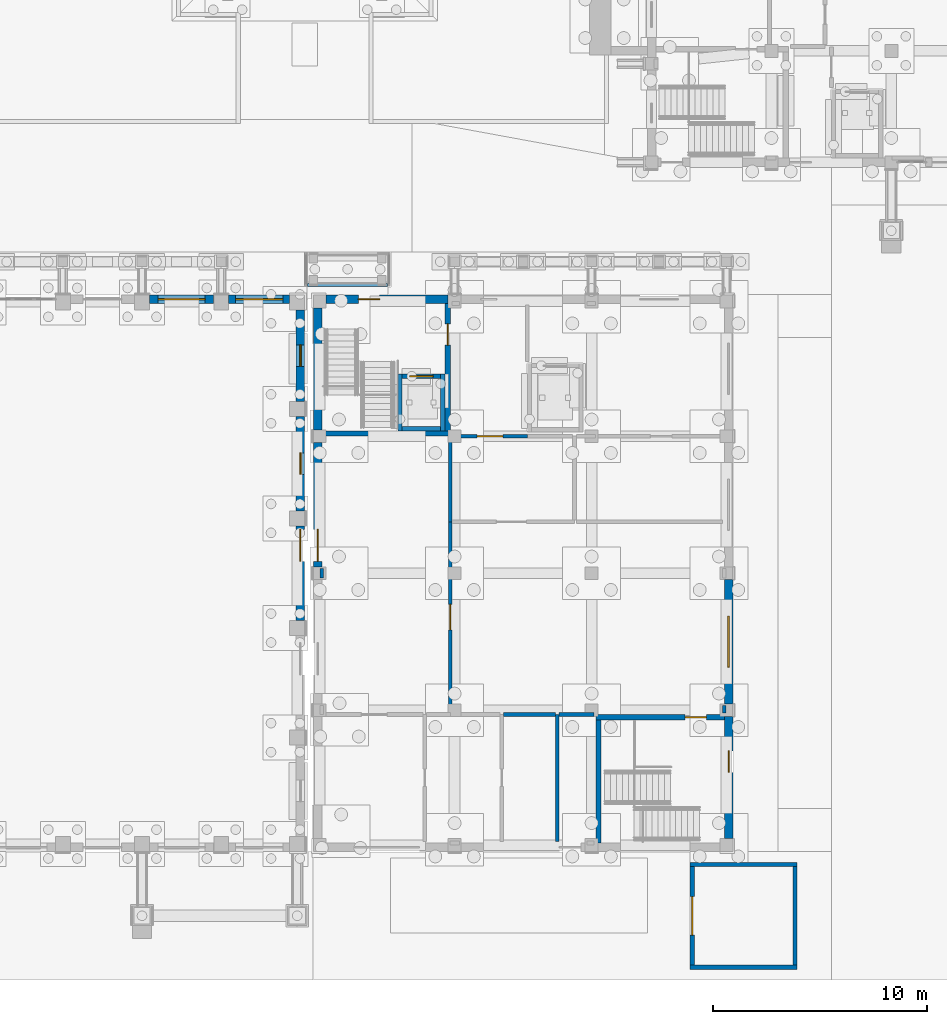
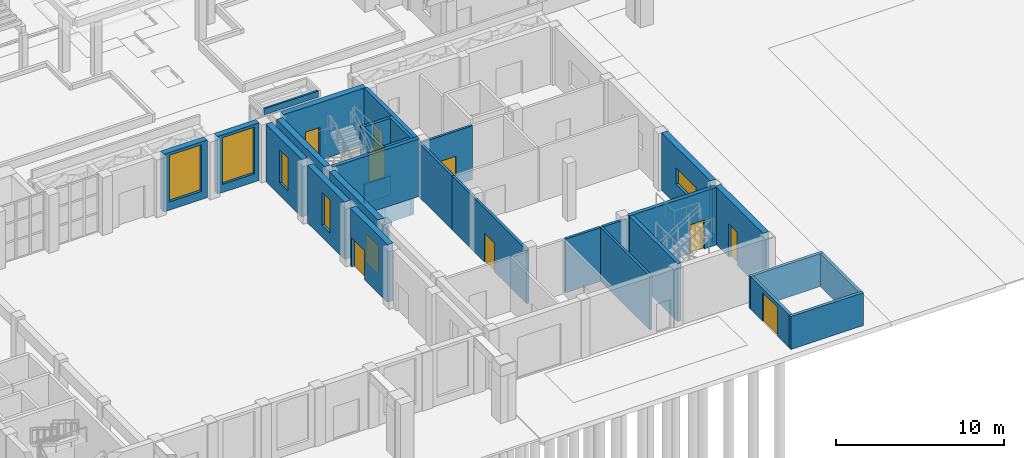
# One storey, part 65 of 112: 35 walls, 10 doors, 5 windows, 15 openings.
"""IFC4 building model written with IfcOpenShell, lengths in metres."""

import ifcopenshell
import ifcopenshell.guid

model = None  # the IFC model being written
_history = None  # IfcOwnerHistory: only IFC2X3 demands one
_inside = {}  # id of a spatial element -> (the spatial element, [elements in it])
_under = {}  # id of a project, library or spatial element -> (it, [spatial elements below it])
_declared = {}  # id of a project -> (the project, [libraries it declares])
_typed = {}  # id of a type object -> (the type object, [elements of that type])
_made_of = {}  # id of a material, layer set ... -> (it, [elements and type objects made of it])


def new_model(schema):
    """Start an empty IFC model of exactly this schema.

    Asked for "IFC4X3", IfcOpenShell would pick the latest addendum, in which some entities
    have other attributes; the version numbers below select the first issue.
    IFC2X3 requires an IfcOwnerHistory on every rooted entity: one is made here for all.
    """
    global model, _history
    if schema == "IFC4X3":
        model = ifcopenshell.file(schema_version=(4, 3, 0, 0))
    else:
        model = ifcopenshell.file(schema=schema)
    _inside.clear()
    _under.clear()
    _declared.clear()
    _typed.clear()
    _made_of.clear()
    _history = None
    if model.schema == "IFC2X3":
        org = make("IfcOrganization", Name="unknown")
        user = make(
            "IfcPersonAndOrganization",
            ThePerson=make("IfcPerson", FamilyName="unknown"),
            TheOrganization=org,
        )
        app = make(
            "IfcApplication",
            ApplicationDeveloper=org,
            Version="unknown",
            ApplicationFullName="unknown",
            ApplicationIdentifier="unknown",
        )
        _history = make(
            "IfcOwnerHistory",
            OwningUser=user,
            OwningApplication=app,
            ChangeAction="ADDED",
            CreationDate=0,
        )
    return model


def make(cls, **values):
    """One entity of the class cls with the attributes given. An attribute that is None is left unset."""
    return model.create_entity(
        cls, **{name: value for name, value in values.items() if value is not None}
    )


def rooted(cls, **values):
    """An entity with a GlobalId (a new one), such as an element, a storey or a relation."""
    return make(cls, GlobalId=ifcopenshell.guid.new(), OwnerHistory=_history, **values)


def si_unit(unit_type, name, prefix=None):
    """IfcSIUnit, for example si_unit("LENGTHUNIT", "METRE", prefix="MILLI")."""
    return make("IfcSIUnit", UnitType=unit_type, Prefix=prefix, Name=name)


def assignment(units):
    """IfcUnitAssignment: the units of a project."""
    return None if units is None else make("IfcUnitAssignment", Units=units)


def point(xyz):
    """IfcCartesianPoint."""
    return None if xyz is None else make("IfcCartesianPoint", Coordinates=xyz)


def direction(xyz):
    """IfcDirection."""
    return None if xyz is None else make("IfcDirection", DirectionRatios=xyz)


def frame(location, z_axis=None, x_axis=None):
    """IfcAxis2Placement3D, a coordinate frame: its origin and axes. An axis left out is left unset."""
    return make(
        "IfcAxis2Placement3D",
        Location=point(location),
        Axis=direction(z_axis),
        RefDirection=direction(x_axis),
    )


def frame_2d(location, x_axis=None):
    """IfcAxis2Placement2D, a coordinate frame in the plane: its origin and x axis."""
    return make(
        "IfcAxis2Placement2D", Location=point(location), RefDirection=direction(x_axis)
    )


def origin():
    """The frame at (0, 0, 0) with its axes left unset."""
    return frame((0.0, 0.0, 0.0))


def place(relative_to, where):
    """IfcLocalPlacement: puts the frame where relative to a parent placement (None: the world)."""
    return make(
        "IfcLocalPlacement", PlacementRelTo=relative_to, RelativePlacement=where
    )


def context(
    kind, dimensions, precision=None, world=None, true_north=None, identifier=None
):
    """IfcGeometricRepresentationContext, for example the 3D "Model" context."""
    return make(
        "IfcGeometricRepresentationContext",
        ContextIdentifier=identifier,
        ContextType=kind,
        CoordinateSpaceDimension=dimensions,
        Precision=precision,
        WorldCoordinateSystem=world,
        TrueNorth=true_north,
    )


def subcontext(parent, identifier, kind, view, scale=None):
    """IfcGeometricRepresentationSubContext, for example "Body" below "Model"."""
    return make(
        "IfcGeometricRepresentationSubContext",
        ContextIdentifier=identifier,
        ContextType=kind,
        ParentContext=parent,
        TargetScale=scale,
        TargetView=view,
    )


def project(units=None, contexts=None):
    """IfcProject with its units and contexts."""
    return rooted(
        "IfcProject",
        Name="project",
        RepresentationContexts=contexts,
        UnitsInContext=assignment(units),
    )


def spatial(cls, under=None, at=None, **own):
    """A site, building, storey or space (cls), placed at a placement, below another one or the project."""
    s = rooted(cls, ObjectPlacement=at, **own)
    if under is not None:
        _under.setdefault(under.id(), (under, []))[1].append(s)
    return s


def profile(cls, at=None, kind="AREA", **sizes):
    """A parametric profile (cls). Its sizes go by their IFC names, for example OverallWidth=200.0."""
    return make(cls, ProfileType=kind, Position=at, **sizes)


def rectangle(**sizes):
    """IfcRectangleProfileDef."""
    return profile("IfcRectangleProfileDef", **sizes)


def extrude(swept, where, along, depth):
    """IfcExtrudedAreaSolid: the profile swept, set in the frame where, extruded along a direction by depth."""
    return make(
        "IfcExtrudedAreaSolid",
        SweptArea=swept,
        Position=where,
        ExtrudedDirection=direction(along),
        Depth=depth,
    )


def shape(context_of_items, identifier, shape_type, items):
    """IfcShapeRepresentation: the items that make up one representation, for example the "Body"."""
    return make(
        "IfcShapeRepresentation",
        ContextOfItems=context_of_items,
        RepresentationIdentifier=identifier,
        RepresentationType=shape_type,
        Items=items,
    )


def material(Name=None, Category=None):
    """IfcMaterial."""
    return make("IfcMaterial", Name=Name, Category=Category)


def layer(
    of_material, thickness, ventilated=None, Name=None, Category=None, Priority=None
):
    """IfcMaterialLayer: one layer of a wall or slab, of a material (None: an air gap)."""
    return make(
        "IfcMaterialLayer",
        Material=of_material,
        LayerThickness=thickness,
        IsVentilated=ventilated,
        Name=Name,
        Category=Category,
        Priority=Priority,
    )


def layer_set(layers, Name=None):
    """IfcMaterialLayerSet."""
    return make("IfcMaterialLayerSet", MaterialLayers=layers, LayerSetName=Name)


def made_of(thing, what):
    """Note that an element or type object is made of a material, layer set ...; save() writes the relation."""
    if what is not None:
        _made_of.setdefault(what.id(), (what, []))[1].append(thing)
    return thing


def type_object(cls, material=None, **own):
    """A type object (cls), such as IfcWallType, which elements share."""
    return made_of(rooted(cls, **own), material)


def element(
    cls,
    number,
    at=None,
    inside=None,
    cuts=None,
    type_object=None,
    material=None,
    context=None,
    identifier="Body",
    shape_type=None,
    held_by="IfcProductDefinitionShape",
    body=None,
    shapes=None,
    **own,
):
    """One element of the class cls, such as IfcWall. Its Tag is "e" and its number.

    at: its placement. inside: the storey or other place that contains it. cuts: it is an
    opening in that element (IfcRelVoidsElement). A single representation is given by context,
    identifier, shape_type and body (its items); several are given by shapes. held_by: the class
    of the entity that holds the representations. save() writes the other relations.
    """
    e = rooted(cls, Tag="e%d" % number, ObjectPlacement=at, **own)
    if body is not None:
        shapes = [shape(context, identifier, shape_type, body)]
    if shapes is not None:
        e.Representation = make(held_by, Representations=shapes)
    if inside is not None:
        _inside.setdefault(inside.id(), (inside, []))[1].append(e)
    if cuts is not None:
        rooted(
            "IfcRelVoidsElement", RelatingBuildingElement=cuts, RelatedOpeningElement=e
        )
    if type_object is not None:
        _typed.setdefault(type_object.id(), (type_object, []))[1].append(e)
    return made_of(e, material)


def fill(opening, filler):
    """IfcRelFillsElement: the door or window that sits in an opening."""
    return rooted(
        "IfcRelFillsElement",
        RelatingOpeningElement=opening,
        RelatedBuildingElement=filler,
    )


def aggregate(whole, parts):
    """IfcRelAggregates: a whole, such as a stair, and the parts it consists of."""
    return rooted("IfcRelAggregates", RelatingObject=whole, RelatedObjects=parts)


def save(model, path):
    """Write the relations noted so far, then the file.

    IfcRelAggregates (storeys below a building ...), IfcRelContainedInSpatialStructure (elements
    in a storey), IfcRelDefinesByType, IfcRelAssociatesMaterial and IfcRelDeclares: one each for
    every whole, place, type object, material and project.
    """
    for whole, parts in _under.values():
        aggregate(whole, parts)
    for where, things in _inside.values():
        rooted(
            "IfcRelContainedInSpatialStructure",
            RelatedElements=things,
            RelatingStructure=where,
        )
    for kind, things in _typed.values():
        rooted("IfcRelDefinesByType", RelatedObjects=things, RelatingType=kind)
    for what, things in _made_of.values():
        rooted("IfcRelAssociatesMaterial", RelatedObjects=things, RelatingMaterial=what)
    for by, libraries in _declared.values():
        rooted("IfcRelDeclares", RelatingContext=by, RelatedDefinitions=libraries)
    model.write(path)


model = new_model("IFC4")

# Units and contexts
model_context = context("Model", 3, precision=1e-05, world=origin(), true_north=direction((0.0, 1.0)))
body_context = subcontext(model_context, "Body", "Model", "MODEL_VIEW")
ifc_project = project(units=[si_unit("LENGTHUNIT", "METRE"), si_unit("AREAUNIT", "SQUARE_METRE"), si_unit("VOLUMEUNIT", "CUBIC_METRE"), si_unit("PLANEANGLEUNIT", "RADIAN"), si_unit("MASSUNIT", "GRAM", prefix="KILO")], contexts=[model_context])

# Site, building, storey
site_placement = place(None, origin())
site = spatial("IfcSite", under=ifc_project, at=site_placement, CompositionType="ELEMENT")
building_placement = place(site_placement, origin())
building = spatial("IfcBuilding", under=site, at=building_placement, Name="Wasatch Bagh Community Centre", CompositionType="ELEMENT")
storey_placement = place(building_placement, origin())
storey = spatial("IfcBuildingStorey", under=building, at=storey_placement, Name="L00", CompositionType="ELEMENT", Elevation=0.0)

# Wall, opening, window
ifc_material_1 = material(Name="Concrete C40", Category="concrete")
ifc_layer_1 = layer(ifc_material_1, 0.39990234375)
ifc_layer_set_1 = layer_set([ifc_layer_1], Name="Concrete C40")
wall_type_1 = type_object("IfcWallType", Name="DH RC WALL 400 solidwall", PredefinedType="SOLIDWALL", material=ifc_layer_set_1)
wall_1_placement = place(storey_placement, frame((88.75, 31.800048828125, 0.0), z_axis=(0.0, 0.0, 1.0), x_axis=(1.0, 0.0, 0.0)))
wall_1 = element("IfcWall", 1, at=wall_1_placement, inside=storey, type_object=wall_type_1, Name="DH.wall.L00.15", PredefinedType="SOLIDWALL", context=body_context, shape_type="SweptSolid", body=[
    extrude(rectangle(XDim=3.0, YDim=0.39990234375, at=frame_2d((1.5, 0.0))), origin(), (0.0, 0.0, 1.0), 4.199951171875),
])
opening_1_placement = place(wall_1_placement, frame((0.39990234375, 0.0, 0.60009765625)))
opening_1 = element("IfcOpeningElement", 2, at=opening_1_placement, cuts=wall_1, Name="Opening 0D-W05", PredefinedType="OPENING", context=body_context, shape_type="SweptSolid", body=[
    extrude(rectangle(XDim=2.199951171875, YDim=3.39990234375, at=frame_2d((1.10009765625, 1.699951171875))), frame((0.0, 0.2099609375, 0.0), z_axis=(0.0, -1.0, 0.0), x_axis=(1.0, 0.0, 0.0)), (0.0, 0.0, 1.0), 0.419921875),
])
ifc_material_2 = material(Name="Aluminium frame with double glazing", Category="aluminium")
window_type_1 = type_object("IfcWindowType", Name="DH window 2200x3400", PartitioningType="SINGLE_PANEL", PredefinedType="WINDOW", material=ifc_material_2)
window_1_placement = place(opening_1_placement, origin())
window_1 = element("IfcWindow", 3, at=window_1_placement, inside=storey, type_object=window_type_1, Name="DH.window.L00.0D-W05", OverallHeight=3.39990234375, OverallWidth=2.199951171875, PartitioningType="SINGLE_PANEL", PredefinedType="WINDOW", context=body_context, shape_type="SweptSolid", body=[
    extrude(rectangle(XDim=2.199951171875, YDim=3.39990234375, at=frame_2d((1.10009765625, 1.699951171875))), frame((0.0, 0.030029296875, 0.0), z_axis=(0.0, -1.0, 0.0), x_axis=(1.0, 0.0, 0.0)), (0.0, 0.0, 1.0), 0.06005859375),
])
fill(opening_1, window_1)

wall_2_placement = place(storey_placement, frame((92.449951171875, 31.800048828125, 0.0), z_axis=(0.0, 0.0, 1.0), x_axis=(1.0, 0.0, 0.0)))
wall_2 = element("IfcWall", 4, at=wall_2_placement, inside=storey, type_object=wall_type_1, Name="DH.wall.L00.16", PredefinedType="SOLIDWALL", context=body_context, shape_type="SweptSolid", body=[
    extrude(rectangle(XDim=2.85009765625, YDim=0.39990234375, at=frame_2d((1.425048828125, 0.0))), origin(), (0.0, 0.0, 1.0), 4.199951171875),
])
opening_2_placement = place(wall_2_placement, frame((0.324951171875, 0.0, 0.60009765625)))
opening_2 = element("IfcOpeningElement", 5, at=opening_2_placement, cuts=wall_2, Name="Opening 0D-W06", PredefinedType="OPENING", context=body_context, shape_type="SweptSolid", body=[
    extrude(rectangle(XDim=2.199951171875, YDim=3.39990234375, at=frame_2d((1.10009765625, 1.699951171875))), frame((0.0, 0.2099609375, 0.0), z_axis=(0.0, -1.0, 0.0), x_axis=(1.0, 0.0, 0.0)), (0.0, 0.0, 1.0), 0.419921875),
])
window_2_placement = place(opening_2_placement, origin())
window_2 = element("IfcWindow", 6, at=window_2_placement, inside=storey, type_object=window_type_1, Name="DH.window.L00.0D-W06", OverallHeight=3.39990234375, OverallWidth=2.199951171875, PartitioningType="SINGLE_PANEL", PredefinedType="WINDOW", context=body_context, shape_type="SweptSolid", body=[
    extrude(rectangle(XDim=2.199951171875, YDim=3.39990234375, at=frame_2d((1.10009765625, 1.699951171875))), frame((0.0, 0.030029296875, 0.0), z_axis=(0.0, -1.0, 0.0), x_axis=(1.0, 0.0, 0.0)), (0.0, 0.0, 1.0), 0.06005859375),
])
fill(opening_2, window_2)

# Wall, opening, door
wall_3_placement = place(storey_placement, frame((95.800048828125, 16.7900390625, 0.0), z_axis=(0.0, 0.0, 1.0), x_axis=(0.0, 1.0, 0.0)))
wall_3 = element("IfcWall", 7, at=wall_3_placement, inside=storey, type_object=wall_type_1, Name="DH.wall.L00.24", PredefinedType="SOLIDWALL", context=body_context, shape_type="SweptSolid", body=[
    extrude(rectangle(XDim=4.419921875, YDim=0.39990234375, at=frame_2d((2.2099609375, 0.0))), origin(), (0.0, 0.0, 1.0), 4.199951171875),
])
opening_3_placement = place(wall_3_placement, frame((2.760009765625, 0.0, 0.0)))
opening_3 = element("IfcOpeningElement", 8, at=opening_3_placement, cuts=wall_3, Name="Opening 0D-09", PredefinedType="OPENING", context=body_context, shape_type="SweptSolid", body=[
    extrude(rectangle(XDim=1.5, YDim=2.10009765625, at=frame_2d((0.75, 1.050048828125))), frame((0.0, 0.2099609375, 0.0), z_axis=(0.0, -1.0, 0.0), x_axis=(1.0, 0.0, 0.0)), (0.0, 0.0, 1.0), 0.419921875),
])
ifc_material_3 = material(Name="Aluminium frame and glass", Category="aluminium")
door_type_1 = type_object("IfcDoorType", Name="DH door 1500x2100 double", OperationType="DOUBLE_DOOR_SINGLE_SWING", PredefinedType="DOOR", material=ifc_material_3)
door_1_placement = place(opening_3_placement, origin())
door_1 = element("IfcDoor", 9, at=door_1_placement, inside=storey, type_object=door_type_1, Name="DH.door.L00.0D-09", OperationType="DOUBLE_DOOR_SINGLE_SWING", OverallHeight=2.10009765625, OverallWidth=1.5, PredefinedType="DOOR", context=body_context, shape_type="SweptSolid", body=[
    extrude(rectangle(XDim=1.5, YDim=2.10009765625, at=frame_2d((0.75, 1.050048828125))), frame((0.0, 0.02490234375, 0.0), z_axis=(0.0, -1.0, 0.0), x_axis=(1.0, 0.0, 0.0)), (0.0, 0.0, 1.0), 0.050048828125),
])
fill(opening_3, door_1)

# Wall, opening, window
wall_4_placement = place(storey_placement, frame((95.800048828125, 21.909912109375, 0.0), z_axis=(0.0, 0.0, 1.0), x_axis=(0.0, 1.0, 0.0)))
wall_4 = element("IfcWall", 10, at=wall_4_placement, inside=storey, type_object=wall_type_1, Name="DH.wall.L00.25", PredefinedType="SOLIDWALL", context=body_context, shape_type="SweptSolid", body=[
    extrude(rectangle(XDim=4.420166015625, YDim=0.39990234375, at=frame_2d((2.2099609375, 0.0))), origin(), (0.0, 0.0, 1.0), 4.199951171875),
])
opening_4_placement = place(wall_4_placement, frame((1.7099609375, 0.0, 0.89990234375)))
opening_4 = element("IfcOpeningElement", 11, at=opening_4_placement, cuts=wall_4, Name="Opening 0D-W13", PredefinedType="OPENING", context=body_context, shape_type="SweptSolid", body=[
    extrude(rectangle(XDim=1.0, YDim=2.39990234375, at=frame_2d((0.5, 1.199951171875))), frame((0.0, 0.2099609375, 0.0), z_axis=(0.0, -1.0, 0.0), x_axis=(1.0, 0.0, 0.0)), (0.0, 0.0, 1.0), 0.419921875),
])
window_type_2 = type_object("IfcWindowType", Name="DH window 1000x2400", PartitioningType="SINGLE_PANEL", PredefinedType="WINDOW", material=ifc_material_2)
window_3_placement = place(opening_4_placement, origin())
window_3 = element("IfcWindow", 12, at=window_3_placement, inside=storey, type_object=window_type_2, Name="DH.window.L00.0D-W13", OverallHeight=2.39990234375, OverallWidth=1.0, PartitioningType="SINGLE_PANEL", PredefinedType="WINDOW", context=body_context, shape_type="SweptSolid", body=[
    extrude(rectangle(XDim=1.0, YDim=2.39990234375, at=frame_2d((0.5, 1.199951171875))), frame((0.0, 0.030029296875, 0.0), z_axis=(0.0, -1.0, 0.0), x_axis=(1.0, 0.0, 0.0)), (0.0, 0.0, 1.0), 0.06005859375),
])
fill(opening_4, window_3)

wall_5_placement = place(storey_placement, frame((95.800048828125, 27.030029296875, 0.0), z_axis=(0.0, 0.0, 1.0), x_axis=(0.0, 1.0, 0.0)))
wall_5 = element("IfcWall", 13, at=wall_5_placement, inside=storey, type_object=wall_type_1, Name="DH.wall.L00.26", PredefinedType="SOLIDWALL", context=body_context, shape_type="SweptSolid", body=[
    extrude(rectangle(XDim=4.27001953125, YDim=0.39990234375, at=frame_2d((2.135009765625, 0.0))), origin(), (0.0, 0.0, 1.0), 4.199951171875),
])
opening_5_placement = place(wall_5_placement, frame((1.635009765625, 0.0, 0.89990234375)))
opening_5 = element("IfcOpeningElement", 14, at=opening_5_placement, cuts=wall_5, Name="Opening 0D-W14", PredefinedType="OPENING", context=body_context, shape_type="SweptSolid", body=[
    extrude(rectangle(XDim=1.0, YDim=2.39990234375, at=frame_2d((0.5, 1.199951171875))), frame((0.0, 0.2099609375, 0.0), z_axis=(0.0, -1.0, 0.0), x_axis=(1.0, 0.0, 0.0)), (0.0, 0.0, 1.0), 0.419921875),
])
window_4_placement = place(opening_5_placement, origin())
window_4 = element("IfcWindow", 15, at=window_4_placement, inside=storey, type_object=window_type_2, Name="DH.window.L00.0D-W14", OverallHeight=2.39990234375, OverallWidth=1.0, PartitioningType="SINGLE_PANEL", PredefinedType="WINDOW", context=body_context, shape_type="SweptSolid", body=[
    extrude(rectangle(XDim=1.0, YDim=2.39990234375, at=frame_2d((0.5, 1.199951171875))), frame((0.0, 0.030029296875, 0.0), z_axis=(0.0, -1.0, 0.0), x_axis=(1.0, 0.0, 0.0)), (0.0, 0.0, 1.0), 0.06005859375),
])
fill(opening_5, window_4)

# Walls
ifc_layer_2 = layer(ifc_material_1, 0.199951171875)
ifc_layer_set_2 = layer_set([ifc_layer_2], Name="Concrete C40")
wall_type_2 = type_object("IfcWallType", Name="KW RC WALL 200 shear", PredefinedType="SHEAR", material=ifc_layer_set_2)
for number, where, z_axis, x_axis, name in (
    (16, (100.449951171875, 25.64990234375, 0.0), (0.0, 0.0, 1.0), (0.0, 1.0, 0.0), "KW.core.LF2.L00.W"),
    (17, (102.449951171875, 25.64990234375, 0.0), (0.0, 0.0, 1.0), (0.0, 1.0, 0.0), "KW.core.LF2.L00.E"),
):
    element("IfcWall", number, at=place(storey_placement, frame(where, z_axis=z_axis, x_axis=x_axis)), inside=storey, type_object=wall_type_2, Name=name, PredefinedType="SHEAR", context=body_context, shape_type="SweptSolid", body=[
        extrude(rectangle(XDim=2.650146484375, YDim=0.199951171875, at=frame_2d((1.3251953125, 0.0))), origin(), (0.0, 0.0, 1.0), 4.199951171875),
    ])
wall_6_placement = place(storey_placement, frame((100.550048828125, 25.75, 0.0), z_axis=(0.0, 0.0, 1.0), x_axis=(1.0, 0.0, 0.0)))
element("IfcWall", 18, at=wall_6_placement, inside=storey, type_object=wall_type_2, Name="KW.core.LF2.L00.S", PredefinedType="SHEAR", context=body_context, shape_type="SweptSolid", body=[
    extrude(rectangle(XDim=1.800048828125, YDim=0.199951171875, at=frame_2d((0.89990234375, 0.0))), origin(), (0.0, 0.0, 1.0), 4.199951171875),
])

# Wall, opening, door
wall_7_placement = place(storey_placement, frame((100.550048828125, 28.199951171875, 0.0), z_axis=(0.0, 0.0, 1.0), x_axis=(1.0, 0.0, 0.0)))
wall_7 = element("IfcWall", 19, at=wall_7_placement, inside=storey, type_object=wall_type_2, Name="KW.core.LF2.L00.N", PredefinedType="SHEAR", context=body_context, shape_type="SweptSolid", body=[
    extrude(rectangle(XDim=1.800048828125, YDim=0.199951171875, at=frame_2d((0.89990234375, 0.0))), origin(), (0.0, 0.0, 1.0), 4.199951171875),
])
opening_6_placement = place(wall_7_placement, frame((0.35009765625, 0.0, 0.0)))
opening_6 = element("IfcOpeningElement", 20, at=opening_6_placement, cuts=wall_7, Name="Opening 0K-08", PredefinedType="OPENING", context=body_context, shape_type="SweptSolid", body=[
    extrude(rectangle(XDim=1.10009765625, YDim=2.10009765625, at=frame_2d((0.550048828125, 1.050048828125))), frame((0.0, 0.10986328125, 0.0), z_axis=(0.0, -1.0, 0.0), x_axis=(1.0, 0.0, 0.0)), (0.0, 0.0, 1.0), 0.219970703125),
])
ifc_material_4 = material(Name="Stainless steel", Category="steel")
door_type_2 = type_object("IfcDoorType", Name="KW door 1100x2100 landing", OperationType="SLIDING_TO_LEFT", PredefinedType="DOOR", material=ifc_material_4)
door_2_placement = place(opening_6_placement, origin())
door_2 = element("IfcDoor", 21, at=door_2_placement, inside=storey, type_object=door_type_2, Name="KW.door.L00.0K-08", OperationType="SLIDING_TO_LEFT", OverallHeight=2.10009765625, OverallWidth=1.10009765625, PredefinedType="DOOR", context=body_context, shape_type="SweptSolid", body=[
    extrude(rectangle(XDim=1.10009765625, YDim=2.10009765625, at=frame_2d((0.550048828125, 1.050048828125))), frame((0.0, 0.02490234375, 0.0), z_axis=(0.0, -1.0, 0.0), x_axis=(1.0, 0.0, 0.0)), (0.0, 0.0, 1.0), 0.050048828125),
])
fill(opening_6, door_2)

# Walls
for number, where, z_axis, x_axis, name in (
    (22, (100.449951171875, 25.64990234375, -1.39990234375), (0.0, 0.0, 1.0), (0.0, 1.0, 0.0), "KW.core.LF2.PIT.W"),
    (23, (102.449951171875, 25.64990234375, -1.39990234375), (0.0, 0.0, 1.0), (0.0, 1.0, 0.0), "KW.core.LF2.PIT.E"),
):
    element("IfcWall", number, at=place(storey_placement, frame(where, z_axis=z_axis, x_axis=x_axis)), inside=storey, type_object=wall_type_2, Name=name, PredefinedType="SHEAR", context=body_context, shape_type="SweptSolid", body=[
        extrude(rectangle(XDim=2.650146484375, YDim=0.199951171875, at=frame_2d((1.3251953125, 0.0))), origin(), (0.0, 0.0, 1.0), 1.39990234375),
    ])
for number, where, z_axis, x_axis, name in (
    (24, (100.550048828125, 25.75, -1.39990234375), (0.0, 0.0, 1.0), (1.0, 0.0, 0.0), "KW.core.LF2.PIT.S"),
    (25, (100.550048828125, 28.199951171875, -1.39990234375), (0.0, 0.0, 1.0), (1.0, 0.0, 0.0), "KW.core.LF2.PIT.N"),
):
    element("IfcWall", number, at=place(storey_placement, frame(where, z_axis=z_axis, x_axis=x_axis)), inside=storey, type_object=wall_type_2, Name=name, PredefinedType="SHEAR", context=body_context, shape_type="SweptSolid", body=[
        extrude(rectangle(XDim=1.800048828125, YDim=0.199951171875, at=frame_2d((0.89990234375, 0.0))), origin(), (0.0, 0.0, 1.0), 1.39990234375),
    ])

# Wall, opening, door
ifc_layer_3 = layer(ifc_material_1, 0.25)
ifc_layer_set_3 = layer_set([ifc_layer_3], Name="Concrete C40")
wall_type_3 = type_object("IfcWallType", Name="KW RC WALL 250 shear", PredefinedType="SHEAR", material=ifc_layer_set_3)
wall_8_placement = place(storey_placement, frame((102.675048828125, 25.64990234375, 0.0), z_axis=(0.0, 0.0, 1.0), x_axis=(0.0, 1.0, 0.0)))
wall_8 = element("IfcWall", 26, at=wall_8_placement, inside=storey, type_object=wall_type_3, Name="KW.core.ST4.L00.E", PredefinedType="SHEAR", context=body_context, shape_type="SweptSolid", body=[
    extrude(rectangle(XDim=5.9501953125, YDim=0.25, at=frame_2d((2.97509765625, 0.0))), origin(), (0.0, 0.0, 1.0), 4.199951171875),
])
opening_7_placement = place(wall_8_placement, frame((4.0, 0.0, 0.0)))
opening_7 = element("IfcOpeningElement", 27, at=opening_7_placement, cuts=wall_8, Name="Opening 0K-17", PredefinedType="OPENING", context=body_context, shape_type="SweptSolid", body=[
    extrude(rectangle(XDim=1.0, YDim=2.10009765625, at=frame_2d((0.5, 1.050048828125))), frame((0.0, 0.135009765625, 0.0), z_axis=(0.0, -1.0, 0.0), x_axis=(1.0, 0.0, 0.0)), (0.0, 0.0, 1.0), 0.27001953125),
])
ifc_material_5 = material(Name="Painted hardwood timber", Category="wood")
door_type_3 = type_object("IfcDoorType", Name="KW door 1000x2100 single", OperationType="SINGLE_SWING_LEFT", PredefinedType="DOOR", material=ifc_material_5)
door_3_placement = place(opening_7_placement, origin())
door_3 = element("IfcDoor", 28, at=door_3_placement, inside=storey, type_object=door_type_3, Name="KW.door.L00.0K-17", OperationType="SINGLE_SWING_LEFT", OverallHeight=2.10009765625, OverallWidth=1.0, PredefinedType="DOOR", context=body_context, shape_type="SweptSolid", body=[
    extrude(rectangle(XDim=1.0, YDim=2.10009765625, at=frame_2d((0.5, 1.050048828125))), frame((0.0, 0.02490234375, 0.0), z_axis=(0.0, -1.0, 0.0), x_axis=(1.0, 0.0, 0.0)), (0.0, 0.0, 1.0), 0.050048828125),
])
fill(opening_7, door_3)

# Walls
wall_9_placement = place(storey_placement, frame((96.800048828125, 25.52490234375, 0.0), z_axis=(0.0, 0.0, 1.0), x_axis=(1.0, 0.0, 0.0)))
element("IfcWall", 29, at=wall_9_placement, inside=storey, type_object=wall_type_3, Name="KW.core.ST4.L00.S", PredefinedType="SHEAR", context=body_context, shape_type="SweptSolid", body=[
    extrude(rectangle(XDim=6.0, YDim=0.25, at=frame_2d((3.0, 0.0))), origin(), (0.0, 0.0, 1.0), 4.199951171875),
])
wall_10_placement = place(storey_placement, frame((109.72509765625, 6.39990234375, 0.0), z_axis=(0.0, 0.0, 1.0), x_axis=(0.0, 1.0, 0.0)))
element("IfcWall", 30, at=wall_10_placement, inside=storey, type_object=wall_type_3, Name="KW.core.ST5.L00.W", PredefinedType="SHEAR", context=body_context, shape_type="SweptSolid", body=[
    extrude(rectangle(XDim=5.75, YDim=0.25, at=frame_2d((2.875, 0.0))), origin(), (0.0, 0.0, 1.0), 4.199951171875),
])

# Wall, opening, door
wall_11_placement = place(storey_placement, frame((109.60009765625, 12.27490234375, 0.0), z_axis=(0.0, 0.0, 1.0), x_axis=(1.0, 0.0, 0.0)))
wall_11 = element("IfcWall", 31, at=wall_11_placement, inside=storey, type_object=wall_type_3, Name="KW.core.ST5.L00.N", PredefinedType="SHEAR", context=body_context, shape_type="SweptSolid", body=[
    extrude(rectangle(XDim=6.0, YDim=0.25, at=frame_2d((3.0, 0.0))), origin(), (0.0, 0.0, 1.0), 4.199951171875),
])
opening_8_placement = place(wall_11_placement, frame((4.164306640625, 0.0, 0.0)))
opening_8 = element("IfcOpeningElement", 32, at=opening_8_placement, cuts=wall_11, Name="Opening 0K-13", PredefinedType="OPENING", context=body_context, shape_type="SweptSolid", body=[
    extrude(rectangle(XDim=1.0, YDim=2.10009765625, at=frame_2d((0.5, 1.050048828125))), frame((0.0, 0.135009765625, 0.0), z_axis=(0.0, -1.0, 0.0), x_axis=(1.0, 0.0, 0.0)), (0.0, 0.0, 1.0), 0.27001953125),
])
door_4_placement = place(opening_8_placement, origin())
door_4 = element("IfcDoor", 33, at=door_4_placement, inside=storey, type_object=door_type_3, Name="KW.door.L00.0K-13", OperationType="SINGLE_SWING_LEFT", OverallHeight=2.10009765625, OverallWidth=1.0, PredefinedType="DOOR", context=body_context, shape_type="SweptSolid", body=[
    extrude(rectangle(XDim=1.0, YDim=2.10009765625, at=frame_2d((0.5, 1.050048828125))), frame((0.0, 0.02490234375, 0.0), z_axis=(0.0, -1.0, 0.0), x_axis=(1.0, 0.0, 0.0)), (0.0, 0.0, 1.0), 0.050048828125),
])
fill(opening_8, door_4)

ifc_layer_4 = layer(ifc_material_1, 0.39990234375)
ifc_layer_set_4 = layer_set([ifc_layer_4], Name="Concrete C40")
wall_type_4 = type_object("IfcWallType", Name="KW RC WALL 400 solidwall", PredefinedType="SOLIDWALL", material=ifc_layer_set_4)
wall_12_placement = place(storey_placement, frame((97.0, 31.800048828125, 0.0), z_axis=(0.0, 0.0, 1.0), x_axis=(1.0, 0.0, 0.0)))
wall_12 = element("IfcWall", 34, at=wall_12_placement, inside=storey, type_object=wall_type_4, Name="KW.wall.L00.04", PredefinedType="SOLIDWALL", context=body_context, shape_type="SweptSolid", body=[
    extrude(rectangle(XDim=5.699951171875, YDim=0.39990234375, at=frame_2d((2.85009765625, 0.0))), origin(), (0.0, 0.0, 1.0), 4.199951171875),
])
opening_9_placement = place(wall_12_placement, frame((1.5, 0.0, 0.0)))
opening_9 = element("IfcOpeningElement", 35, at=opening_9_placement, cuts=wall_12, Name="Opening 0K-03", PredefinedType="OPENING", context=body_context, shape_type="SweptSolid", body=[
    extrude(rectangle(XDim=1.0, YDim=2.39990234375, at=frame_2d((0.5, 1.199951171875))), frame((0.0, 0.2099609375, 0.0), z_axis=(0.0, -1.0, 0.0), x_axis=(1.0, 0.0, 0.0)), (0.0, 0.0, 1.0), 0.419921875),
])
door_type_4 = type_object("IfcDoorType", Name="KW door 1000x2400 single", OperationType="SINGLE_SWING_LEFT", PredefinedType="DOOR", material=ifc_material_5)
door_5_placement = place(opening_9_placement, origin())
door_5 = element("IfcDoor", 36, at=door_5_placement, inside=storey, type_object=door_type_4, Name="KW.door.L00.0K-03", OperationType="SINGLE_SWING_LEFT", OverallHeight=2.39990234375, OverallWidth=1.0, PredefinedType="DOOR", context=body_context, shape_type="SweptSolid", body=[
    extrude(rectangle(XDim=1.0, YDim=2.39990234375, at=frame_2d((0.5, 1.199951171875))), frame((0.0, 0.02490234375, 0.0), z_axis=(0.0, -1.0, 0.0), x_axis=(1.0, 0.0, 0.0)), (0.0, 0.0, 1.0), 0.050048828125),
])
fill(opening_9, door_5)

wall_13_placement = place(storey_placement, frame((96.60009765625, 25.10009765625, 0.0), z_axis=(0.0, 0.0, 1.0), x_axis=(0.0, -1.0, 0.0)))
wall_13 = element("IfcWall", 37, at=wall_13_placement, inside=storey, type_object=wall_type_4, Name="KW.wall.L00.09", PredefinedType="SOLIDWALL", context=body_context, shape_type="SweptSolid", body=[
    extrude(rectangle(XDim=5.800048828125, YDim=0.39990234375, at=frame_2d((2.89990234375, 0.0))), origin(), (0.0, 0.0, 1.0), 4.199951171875),
])
opening_10_placement = place(wall_13_placement, frame((4.050048828125, 0.0, 0.0)))
opening_10 = element("IfcOpeningElement", 38, at=opening_10_placement, cuts=wall_13, Name="Opening 0K-07", PredefinedType="OPENING", context=body_context, shape_type="SweptSolid", body=[
    extrude(rectangle(XDim=1.5, YDim=2.10009765625, at=frame_2d((0.75, 1.050048828125))), frame((0.0, 0.2099609375, 0.0), z_axis=(0.0, -1.0, 0.0), x_axis=(1.0, 0.0, 0.0)), (0.0, 0.0, 1.0), 0.419921875),
])
door_type_5 = type_object("IfcDoorType", Name="KW door 1500x2100 double", OperationType="DOUBLE_DOOR_SINGLE_SWING", PredefinedType="DOOR", material=ifc_material_3)
door_6_placement = place(opening_10_placement, origin())
door_6 = element("IfcDoor", 39, at=door_6_placement, inside=storey, type_object=door_type_5, Name="KW.door.L00.0K-07", OperationType="DOUBLE_DOOR_SINGLE_SWING", OverallHeight=2.10009765625, OverallWidth=1.5, PredefinedType="DOOR", context=body_context, shape_type="SweptSolid", body=[
    extrude(rectangle(XDim=1.5, YDim=2.10009765625, at=frame_2d((0.75, 1.050048828125))), frame((0.0, 0.02490234375, 0.0), z_axis=(0.0, -1.0, 0.0), x_axis=(1.0, 0.0, 0.0)), (0.0, 0.0, 1.0), 0.050048828125),
])
fill(opening_10, door_6)

# Wall
wall_14_placement = place(storey_placement, frame((96.60009765625, 31.39990234375, 0.0), z_axis=(0.0, 0.0, 1.0), x_axis=(0.0, -1.0, 0.0)))
element("IfcWall", 40, at=wall_14_placement, inside=storey, type_object=wall_type_4, Name="KW.wall.L00.10", PredefinedType="SOLIDWALL", context=body_context, shape_type="SweptSolid", body=[
    extrude(rectangle(XDim=5.699951171875, YDim=0.39990234375, at=frame_2d((2.85009765625, 0.0))), origin(), (0.0, 0.0, 1.0), 4.199951171875),
])

# Wall, opening, door
wall_15_placement = place(storey_placement, frame((115.800048828125, 12.300048828125, 0.0), z_axis=(0.0, 0.0, 1.0), x_axis=(0.0, -1.0, 0.0)))
wall_15 = element("IfcWall", 41, at=wall_15_placement, inside=storey, type_object=wall_type_4, Name="KW.wall.L00.11", PredefinedType="SOLIDWALL", context=body_context, shape_type="SweptSolid", body=[
    extrude(rectangle(XDim=5.699951171875, YDim=0.39990234375, at=frame_2d((2.85009765625, 0.0))), origin(), (0.0, 0.0, 1.0), 4.199951171875),
])
opening_11_placement = place(wall_15_placement, frame((1.60009765625, 0.0, 0.0)))
opening_11 = element("IfcOpeningElement", 42, at=opening_11_placement, cuts=wall_15, Name="Opening 0K-02", PredefinedType="OPENING", context=body_context, shape_type="SweptSolid", body=[
    extrude(rectangle(XDim=1.0, YDim=2.39990234375, at=frame_2d((0.5, 1.199951171875))), frame((0.0, 0.2099609375, 0.0), z_axis=(0.0, -1.0, 0.0), x_axis=(1.0, 0.0, 0.0)), (0.0, 0.0, 1.0), 0.419921875),
])
door_7_placement = place(opening_11_placement, origin())
door_7 = element("IfcDoor", 43, at=door_7_placement, inside=storey, type_object=door_type_4, Name="KW.door.L00.0K-02", OperationType="SINGLE_SWING_LEFT", OverallHeight=2.39990234375, OverallWidth=1.0, PredefinedType="DOOR", context=body_context, shape_type="SweptSolid", body=[
    extrude(rectangle(XDim=1.0, YDim=2.39990234375, at=frame_2d((0.5, 1.199951171875))), frame((0.0, 0.02490234375, 0.0), z_axis=(0.0, -1.0, 0.0), x_axis=(1.0, 0.0, 0.0)), (0.0, 0.0, 1.0), 0.050048828125),
])
fill(opening_11, door_7)

# Wall, opening, window
wall_16_placement = place(storey_placement, frame((115.800048828125, 18.699951171875, 0.0), z_axis=(0.0, 0.0, 1.0), x_axis=(0.0, -1.0, 0.0)))
wall_16 = element("IfcWall", 44, at=wall_16_placement, inside=storey, type_object=wall_type_4, Name="KW.wall.L00.12", PredefinedType="SOLIDWALL", context=body_context, shape_type="SweptSolid", body=[
    extrude(rectangle(XDim=5.800048828125, YDim=0.39990234375, at=frame_2d((2.89990234375, 0.0))), origin(), (0.0, 0.0, 1.0), 4.199951171875),
])
opening_12_placement = place(wall_16_placement, frame((1.699951171875, 0.0, 1.5)))
opening_12 = element("IfcOpeningElement", 45, at=opening_12_placement, cuts=wall_16, Name="Opening 0K-W01", PredefinedType="OPENING", context=body_context, shape_type="SweptSolid", body=[
    extrude(rectangle(XDim=2.39990234375, YDim=1.199951171875, at=frame_2d((1.199951171875, 0.60009765625))), frame((0.0, 0.2099609375, 0.0), z_axis=(0.0, -1.0, 0.0), x_axis=(1.0, 0.0, 0.0)), (0.0, 0.0, 1.0), 0.419921875),
])
window_type_3 = type_object("IfcWindowType", Name="KW window 2400x1200", PartitioningType="SINGLE_PANEL", PredefinedType="WINDOW", material=ifc_material_2)
window_5_placement = place(opening_12_placement, origin())
window_5 = element("IfcWindow", 46, at=window_5_placement, inside=storey, type_object=window_type_3, Name="KW.window.L00.0K-W01", OverallHeight=1.199951171875, OverallWidth=2.39990234375, PartitioningType="SINGLE_PANEL", PredefinedType="WINDOW", context=body_context, shape_type="SweptSolid", body=[
    extrude(rectangle(XDim=2.39990234375, YDim=1.199951171875, at=frame_2d((1.199951171875, 0.60009765625))), frame((0.0, 0.030029296875, 0.0), z_axis=(0.0, -1.0, 0.0), x_axis=(1.0, 0.0, 0.0)), (0.0, 0.0, 1.0), 0.06005859375),
])
fill(opening_12, window_5)

# Wall
ifc_material_6 = material(Name="Hollow block masonry, medium weight (ASTM Grade N)", Category="masonry")
ifc_layer_5 = layer(ifc_material_6, 0.169921875)
ifc_layer_set_5 = layer_set([ifc_layer_5], Name="Hollow block masonry, medium weight (ASTM Grade N)")
wall_type_5 = type_object("IfcWallType", Name="KW partition 170", PredefinedType="PARTITIONING", material=ifc_layer_set_5)
wall_17_placement = place(storey_placement, frame((96.800048828125, 19.219970703125, 0.0), z_axis=(0.0, 0.0, 1.0), x_axis=(0.0, -1.0, 0.0)))
element("IfcWall", 47, at=wall_17_placement, inside=storey, type_object=wall_type_5, Name="KW.part.L00.002", PredefinedType="PARTITIONING", context=body_context, shape_type="SweptSolid", body=[
    extrude(rectangle(XDim=0.43994140625, YDim=0.169921875, at=frame_2d((0.219970703125, 0.0))), origin(), (0.0, 0.0, 1.0), 3.919921875),
])

# Wall, opening, door
wall_18_placement = place(storey_placement, frame((102.800048828125, 12.485107421875, 0.0), z_axis=(0.0, 0.0, 1.0), x_axis=(0.0, 1.0, 0.0)))
wall_18 = element("IfcWall", 48, at=wall_18_placement, inside=storey, type_object=wall_type_5, Name="KW.part.L00.007", PredefinedType="PARTITIONING", context=body_context, shape_type="SweptSolid", body=[
    extrude(rectangle(XDim=8.914794921875, YDim=0.169921875, at=frame_2d((4.45751953125, 0.0))), origin(), (0.0, 0.0, 1.0), 3.919921875),
])
opening_13_placement = place(wall_18_placement, frame((3.864990234375, 0.0, 0.0)))
opening_13 = element("IfcOpeningElement", 49, at=opening_13_placement, cuts=wall_18, Name="Opening 0K-14", PredefinedType="OPENING", context=body_context, shape_type="SweptSolid", body=[
    extrude(rectangle(XDim=1.199951171875, YDim=2.10009765625, at=frame_2d((0.60009765625, 1.050048828125))), frame((0.0, 0.094970703125, 0.0), z_axis=(0.0, -1.0, 0.0), x_axis=(1.0, 0.0, 0.0)), (0.0, 0.0, 1.0), 0.18994140625),
])
door_type_6 = type_object("IfcDoorType", Name="KW door 1200x2100 single", OperationType="SINGLE_SWING_LEFT", PredefinedType="DOOR", material=ifc_material_5)
door_8_placement = place(opening_13_placement, origin())
door_8 = element("IfcDoor", 50, at=door_8_placement, inside=storey, type_object=door_type_6, Name="KW.door.L00.0K-14", OperationType="SINGLE_SWING_LEFT", OverallHeight=2.10009765625, OverallWidth=1.199951171875, PredefinedType="DOOR", context=body_context, shape_type="SweptSolid", body=[
    extrude(rectangle(XDim=1.199951171875, YDim=2.10009765625, at=frame_2d((0.60009765625, 1.050048828125))), frame((0.0, 0.02490234375, 0.0), z_axis=(0.0, -1.0, 0.0), x_axis=(1.0, 0.0, 0.0)), (0.0, 0.0, 1.0), 0.050048828125),
])
fill(opening_13, door_8)

# Wall
wall_19_placement = place(storey_placement, frame((102.800048828125, 21.39990234375, 0.0), z_axis=(0.0, 0.0, 1.0), x_axis=(0.0, 1.0, 0.0)))
element("IfcWall", 51, at=wall_19_placement, inside=storey, type_object=wall_type_5, Name="KW.part.L00.008", PredefinedType="PARTITIONING", context=body_context, shape_type="SweptSolid", body=[
    extrude(rectangle(XDim=3.920166015625, YDim=0.169921875, at=frame_2d((1.9599609375, 0.0))), origin(), (0.0, 0.0, 1.0), 3.919921875),
])

# Wall, opening, door
wall_20_placement = place(storey_placement, frame((106.39990234375, 25.39990234375, 0.0), z_axis=(0.0, 0.0, 1.0), x_axis=(-1.0, 0.0, 0.0)))
wall_20 = element("IfcWall", 52, at=wall_20_placement, inside=storey, type_object=wall_type_5, Name="KW.part.L00.012", PredefinedType="PARTITIONING", context=body_context, shape_type="SweptSolid", body=[
    extrude(rectangle(XDim=3.52001953125, YDim=0.169921875, at=frame_2d((1.760009765625, 0.0))), origin(), (0.0, 0.0, 1.0), 3.919921875),
])
opening_14_placement = place(wall_20_placement, frame((1.14990234375, 0.0, 0.0)))
opening_14 = element("IfcOpeningElement", 53, at=opening_14_placement, cuts=wall_20, Name="Opening 0K-18", PredefinedType="OPENING", context=body_context, shape_type="SweptSolid", body=[
    extrude(rectangle(XDim=1.199951171875, YDim=2.10009765625, at=frame_2d((0.60009765625, 1.050048828125))), frame((0.0, 0.094970703125, 0.0), z_axis=(0.0, -1.0, 0.0), x_axis=(1.0, 0.0, 0.0)), (0.0, 0.0, 1.0), 0.18994140625),
])
door_9_placement = place(opening_14_placement, origin())
door_9 = element("IfcDoor", 54, at=door_9_placement, inside=storey, type_object=door_type_6, Name="KW.door.L00.0K-18", OperationType="SINGLE_SWING_LEFT", OverallHeight=2.10009765625, OverallWidth=1.199951171875, PredefinedType="DOOR", context=body_context, shape_type="SweptSolid", body=[
    extrude(rectangle(XDim=1.199951171875, YDim=2.10009765625, at=frame_2d((0.60009765625, 1.050048828125))), frame((0.0, 0.02490234375, 0.0), z_axis=(0.0, -1.0, 0.0), x_axis=(1.0, 0.0, 0.0)), (0.0, 0.0, 1.0), 0.050048828125),
])
fill(opening_14, door_9)

# Walls
wall_21_placement = place(storey_placement, frame((107.715087890625, 12.39990234375, 0.0), z_axis=(0.0, 0.0, 1.0), x_axis=(-1.0, 0.0, 0.0)))
element("IfcWall", 55, at=wall_21_placement, inside=storey, type_object=wall_type_5, Name="KW.part.L00.014", PredefinedType="PARTITIONING", context=body_context, shape_type="SweptSolid", body=[
    extrude(rectangle(XDim=2.43017578125, YDim=0.169921875, at=frame_2d((1.215087890625, 0.0))), origin(), (0.0, 0.0, 1.0), 3.919921875),
])
wall_22_placement = place(storey_placement, frame((107.800048828125, 6.47998046875, 0.0), z_axis=(0.0, 0.0, 1.0), x_axis=(0.0, 1.0, 0.0)))
element("IfcWall", 56, at=wall_22_placement, inside=storey, type_object=wall_type_5, Name="KW.part.L00.015", PredefinedType="PARTITIONING", context=body_context, shape_type="SweptSolid", body=[
    extrude(rectangle(XDim=5.919921875, YDim=0.169921875, at=frame_2d((2.9599609375, 0.0))), origin(), (0.0, 0.0, 1.0), 3.919921875),
])
wall_23_placement = place(storey_placement, frame((109.52001953125, 12.39990234375, 0.0), z_axis=(0.0, 0.0, 1.0), x_axis=(-1.0, 0.0, 0.0)))
element("IfcWall", 57, at=wall_23_placement, inside=storey, type_object=wall_type_5, Name="KW.part.L00.020", PredefinedType="PARTITIONING", context=body_context, shape_type="SweptSolid", body=[
    extrude(rectangle(XDim=1.635009765625, YDim=0.169921875, at=frame_2d((0.8173828125, 0.0))), origin(), (0.0, 0.0, 1.0), 3.919921875),
])
wall_24_placement = place(storey_placement, frame((115.60009765625, 12.47998046875, 0.0), z_axis=(0.0, 0.0, 1.0), x_axis=(0.0, 1.0, 0.0)))
element("IfcWall", 58, at=wall_24_placement, inside=storey, type_object=wall_type_5, Name="KW.part.L00.024", PredefinedType="PARTITIONING", context=body_context, shape_type="SweptSolid", body=[
    extrude(rectangle(XDim=0.340087890625, YDim=0.169921875, at=frame_2d((0.169921875, 0.0))), origin(), (0.0, 0.0, 1.0), 3.919921875),
])
ifc_material_7 = material(Name="Concrete C35", Category="concrete")
ifc_layer_6 = layer(ifc_material_7, 0.1298828125)
ifc_layer_set_6 = layer_set([ifc_layer_6], Name="Concrete C35")
wall_type_6 = type_object("IfcWallType", Name="PA-W2", PredefinedType="PARAPET", material=ifc_layer_set_6)
wall_25_placement = place(storey_placement, frame((96.1298828125, 32.465087890625, 4.0), z_axis=(0.0, 0.0, 1.0), x_axis=(1.0, 0.0, 0.0)))
element("IfcWall", 59, at=wall_25_placement, inside=storey, type_object=wall_type_6, Name="PA-W2 roof parapet PA4.3", PredefinedType="PARAPET", context=body_context, shape_type="SweptSolid", body=[
    extrude(rectangle(XDim=3.740234375, YDim=0.1298828125, at=frame_2d((1.8701171875, 0.0))), origin(), (0.0, 0.0, 1.0), 0.449951171875),
])
ifc_material_8 = material(Name="Precast concrete C30/37", Category="concrete")
ifc_layer_7 = layer(ifc_material_8, 0.199951171875)
ifc_layer_set_7 = layer_set([ifc_layer_7], Name="Precast concrete C30/37")
wall_type_7 = type_object("IfcWallType", Name="SITE-W1", PredefinedType="SOLIDWALL", material=ifc_layer_set_7)
for number, where, z_axis, x_axis, name in (
    (60, (114.0, 0.60009765625, 0.0), (0.0, 0.0, 1.0), (1.0, 0.0, 0.0), "Refuse enclosure wall S"),
    (61, (114.0, 5.39990234375, 0.0), (0.0, 0.0, 1.0), (1.0, 0.0, 0.0), "Refuse enclosure wall N"),
):
    element("IfcWall", number, at=place(storey_placement, frame(where, z_axis=z_axis, x_axis=x_axis)), inside=storey, type_object=wall_type_7, Name=name, PredefinedType="SOLIDWALL", context=body_context, shape_type="SweptSolid", body=[
        extrude(rectangle(XDim=5.0, YDim=0.199951171875, at=frame_2d((2.5, 0.0))), origin(), (0.0, 0.0, 1.0), 2.39990234375),
    ])

# Wall, opening, door
wall_26_placement = place(storey_placement, frame((114.10009765625, 0.699951171875, 0.0), z_axis=(0.0, 0.0, 1.0), x_axis=(0.0, 1.0, 0.0)))
wall_26 = element("IfcWall", 62, at=wall_26_placement, inside=storey, type_object=wall_type_7, Name="Refuse enclosure wall W", PredefinedType="SOLIDWALL", context=body_context, shape_type="SweptSolid", body=[
    extrude(rectangle(XDim=4.60009765625, YDim=0.199951171875, at=frame_2d((2.300048828125, 0.0))), origin(), (0.0, 0.0, 1.0), 2.39990234375),
])
opening_15_placement = place(wall_26_placement, frame((1.39990234375, 0.0, 0.0)))
opening_15 = element("IfcOpeningElement", 63, at=opening_15_placement, cuts=wall_26, Name="Opening SD1", PredefinedType="OPENING", context=body_context, shape_type="SweptSolid", body=[
    extrude(rectangle(XDim=1.800048828125, YDim=2.10009765625, at=frame_2d((0.89990234375, 1.050048828125))), frame((0.0, 0.10986328125, 0.0), z_axis=(0.0, -1.0, 0.0), x_axis=(1.0, 0.0, 0.0)), (0.0, 0.0, 1.0), 0.219970703125),
])
ifc_material_9 = material(Name="Galvanised steel", Category="steel")
door_type_7 = type_object("IfcDoorType", Name="SITE-D1", OperationType="DOUBLE_DOOR_SINGLE_SWING", PredefinedType="GATE", material=ifc_material_9)
door_10_placement = place(opening_15_placement, origin())
door_10 = element("IfcDoor", 64, at=door_10_placement, inside=storey, type_object=door_type_7, Name="Refuse store gate", OperationType="DOUBLE_DOOR_SINGLE_SWING", OverallHeight=2.10009765625, OverallWidth=1.800048828125, PredefinedType="GATE", context=body_context, shape_type="SweptSolid", body=[
    extrude(rectangle(XDim=1.800048828125, YDim=2.10009765625, at=frame_2d((0.89990234375, 1.050048828125))), frame((0.0, 0.02490234375, 0.0), z_axis=(0.0, -1.0, 0.0), x_axis=(1.0, 0.0, 0.0)), (0.0, 0.0, 1.0), 0.050048828125),
])
fill(opening_15, door_10)

# Wall
wall_27_placement = place(storey_placement, frame((118.89990234375, 0.699951171875, 0.0), z_axis=(0.0, 0.0, 1.0), x_axis=(0.0, 1.0, 0.0)))
element("IfcWall", 65, at=wall_27_placement, inside=storey, type_object=wall_type_7, Name="Refuse enclosure wall E", PredefinedType="SOLIDWALL", context=body_context, shape_type="SweptSolid", body=[
    extrude(rectangle(XDim=4.60009765625, YDim=0.199951171875, at=frame_2d((2.300048828125, 0.0))), origin(), (0.0, 0.0, 1.0), 2.39990234375),
])

save(model, "model.ifc")
